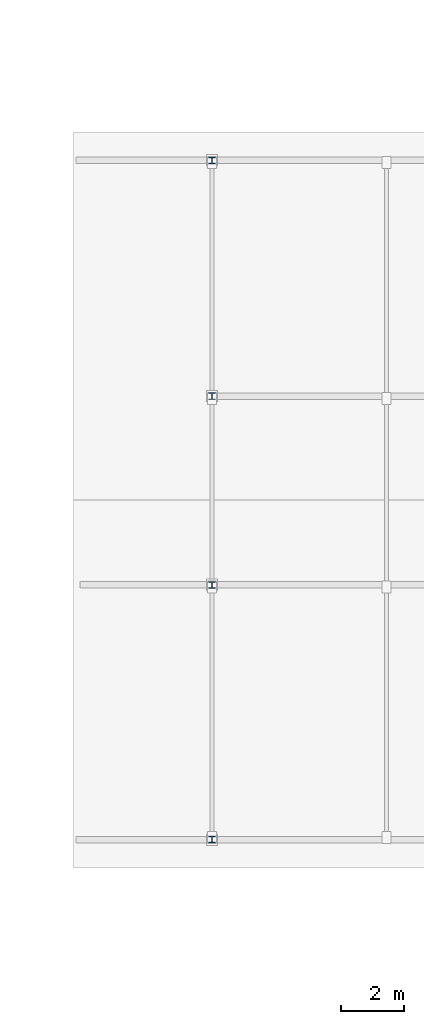
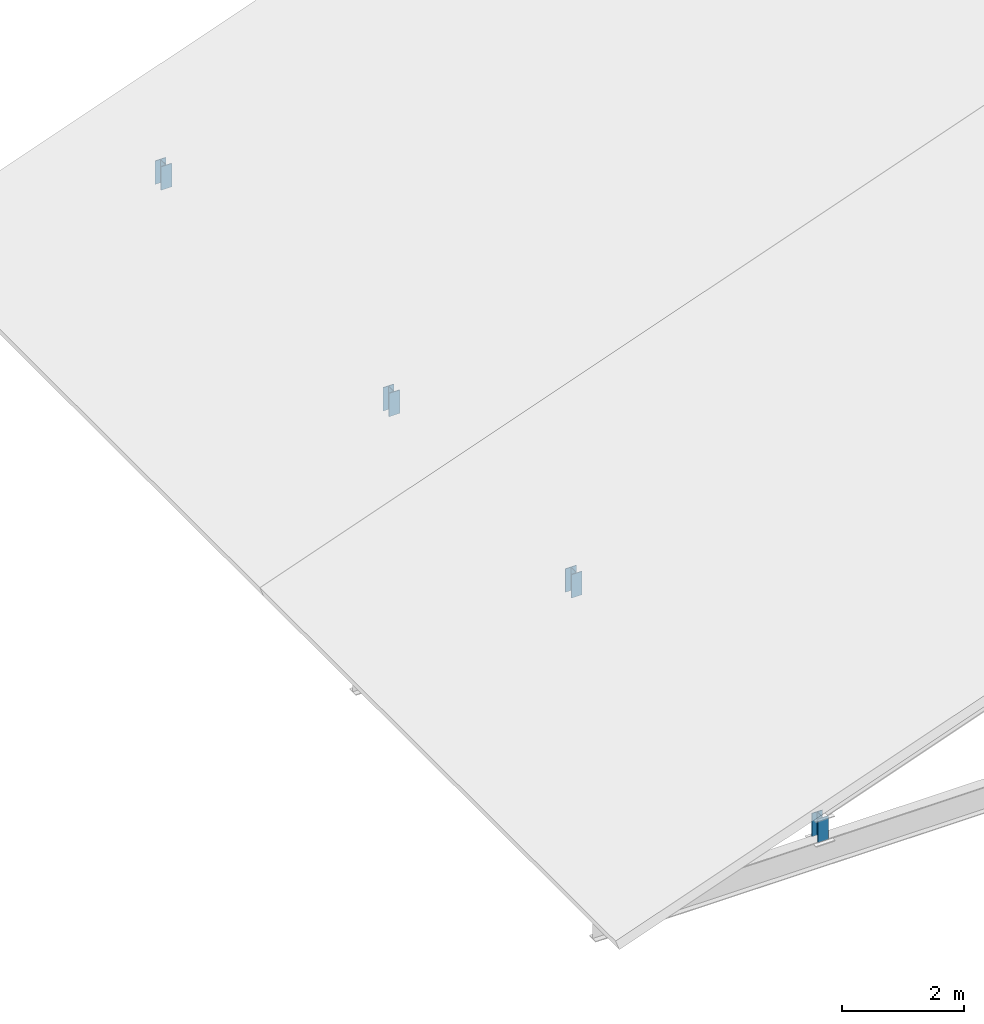
# One storey, part 36 of 42: 4 members.
"""IFC4 building model written with IfcOpenShell, lengths in metres."""

from ifc_helpers import new_model, si_unit, direction, frame, origin, origin_2d, place, context, subcontext, project, spatial, i_section, extrude, material, material_profile, profile_set, type_object, element, save


model = new_model("IFC4")

# Units and contexts
model_context = context("Model", 3, precision=1e-05, world=origin(), true_north=direction((0.0, 1.0)))
body_context = subcontext(model_context, "Body", "Model", "MODEL_VIEW")
ifc_project = project(units=[si_unit("LENGTHUNIT", "METRE"), si_unit("AREAUNIT", "SQUARE_METRE"), si_unit("VOLUMEUNIT", "CUBIC_METRE"), si_unit("PLANEANGLEUNIT", "RADIAN"), si_unit("MASSUNIT", "GRAM", prefix="KILO")], contexts=[model_context])

# Site, building, storey
site_placement = place(None, origin())
site = spatial("IfcSite", under=ifc_project, at=site_placement, CompositionType="ELEMENT")
building_placement = place(site_placement, origin())
building = spatial("IfcBuilding", under=site, at=building_placement, Name="Kelmvaro Bay Concert Hall", CompositionType="ELEMENT")
storey_placement = place(building_placement, frame((0.0, 0.0, 26.699951171875)))
storey = spatial("IfcBuildingStorey", under=building, at=storey_placement, Name="RF", CompositionType="ELEMENT", Elevation=26.699951171875)

# Members
ifc_material = material(Name="Steel ASTM A992 Grade 50", Category="steel")
ifc_material_profile = material_profile(ifc_material, i_section(OverallWidth=0.2041015625, OverallDepth=0.2060546875, WebThickness=0.0078125, FlangeThickness=0.0126953125, at=origin_2d()), Name="W8X35")
ifc_profile_set = profile_set([ifc_material_profile], Name="Steel ASTM A992 Grade 50")
member_type = type_object("IfcMemberType", Name="Crystal Eave Tie Strut W8x35", PredefinedType="STRUT", material=ifc_profile_set)
for number, where, z_axis, x_axis, name in (
    (1, (136.39990234375, 74.699951171875, -8.4150390625), (0.0, 0.0, 1.0), (1.0, 0.0, 0.0), "V2 Crystal Roof Post 026"),
    (2, (136.39990234375, 82.800048828125, -8.4150390625), (0.0, 0.0, 1.0), (1.0, 0.0, 0.0), "V2 Crystal Roof Post 031"),
    (3, (136.39990234375, 88.800048828125, -8.4150390625), (0.0, 0.0, 1.0), (1.0, 0.0, 0.0), "V2 Crystal Roof Post 036"),
    (4, (136.39990234375, 96.300048828125, -8.4150390625), (0.0, 0.0, 1.0), (1.0, 0.0, 0.0), "V2 Crystal Roof Post 041"),
):
    element("IfcMember", number, at=place(storey_placement, frame(where, z_axis=z_axis, x_axis=x_axis)), inside=storey, type_object=member_type, Name=name, PredefinedType="STRUT", context=body_context, shape_type="SweptSolid", body=[
        extrude(i_section(OverallWidth=0.2041015625, OverallDepth=0.2060546875, WebThickness=0.0078125, FlangeThickness=0.0126953125, at=origin_2d()), origin(), (0.0, 0.0, 1.0), 0.471435546875),
    ])

save(model, "model.ifc")
